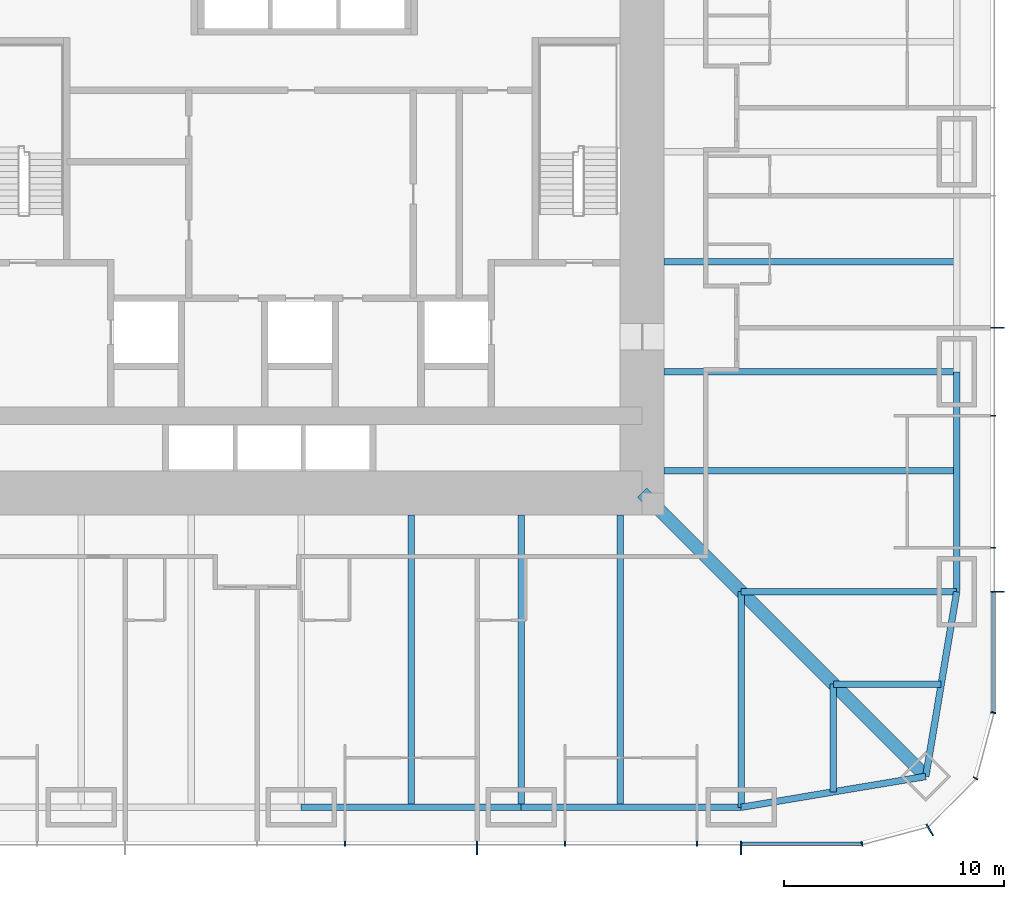
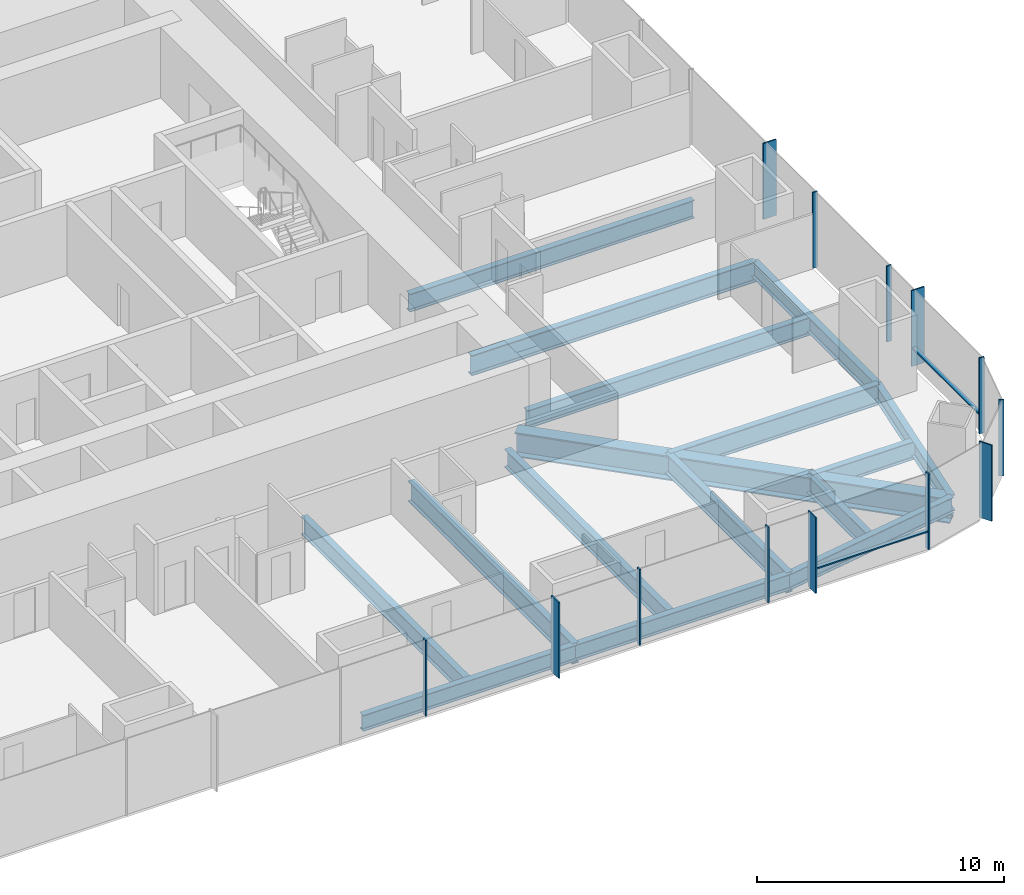
# One storey, part 4 of 17: 16 beams, 15 members, 3 elements without a shape of their own.
"""IFC4 building model written with IfcOpenShell, lengths in metres."""

from ifc_helpers import new_model, si_unit, direction, frame, origin, origin_2d, place, context, subcontext, project, spatial, rectangle, i_section, extrude, material, material_profile, profile_set, type_object, element, aggregate, save


model = new_model("IFC4")

# Units and contexts
model_context = context("Model", 3, precision=1e-05, world=origin(), true_north=direction((0.0, 1.0)))
body_context = subcontext(model_context, "Body", "Model", "MODEL_VIEW")
ifc_project = project(units=[si_unit("LENGTHUNIT", "METRE"), si_unit("AREAUNIT", "SQUARE_METRE"), si_unit("VOLUMEUNIT", "CUBIC_METRE"), si_unit("PLANEANGLEUNIT", "RADIAN"), si_unit("MASSUNIT", "GRAM", prefix="KILO")], contexts=[model_context])

# Site, building, storey
site_placement = place(None, origin())
site = spatial("IfcSite", under=ifc_project, at=site_placement, CompositionType="ELEMENT")
building_placement = place(site_placement, origin())
building = spatial("IfcBuilding", under=site, at=building_placement, Name="Khuree Lantern Residences", CompositionType="ELEMENT")
storey_placement = place(building_placement, frame((0.0, 0.0, 58.5)))
storey = spatial("IfcBuildingStorey", under=building, at=storey_placement, Name="L14", CompositionType="ELEMENT", Elevation=58.5)

# Beams
ifc_material_1 = material(Name="Steel S355", Category="steel")
ifc_material_profile_1 = material_profile(ifc_material_1, i_section(OverallWidth=0.300048828125, OverallDepth=0.889892578125, WebThickness=0.01611328125, FlangeThickness=0.030029296875, FilletRadius=0.030029296875, at=origin_2d()), Name="HE 900 A")
ifc_profile_set_1 = profile_set([ifc_material_profile_1], Name="Steel S355")
beam_type_1 = type_object("IfcBeamType", Name="B-13 SECONDARY BEAM HE 900 A", PredefinedType="BEAM", material=ifc_profile_set_1)
for number, where, z_axis, x_axis, name in (
    (1, (29.800048828125, -5.0, -0.695068359375), (-1.0, 0.0, 0.0), (0.0, -1.0, 0.0), "Secondary beam E4"),
    (2, (29.800048828125, -14.5, -0.695068359375), (-1.0, 0.0, 0.0), (0.0, -1.0, 0.0), "Secondary beam E5"),
):
    element("IfcBeam", number, at=place(storey_placement, frame(where, z_axis=z_axis, x_axis=x_axis)), inside=storey, type_object=beam_type_1, Name=name, PredefinedType="BEAM", context=body_context, shape_type="SweptSolid", body=[
        extrude(i_section(OverallWidth=0.300048828125, OverallDepth=0.889892578125, WebThickness=0.01611328125, FlangeThickness=0.030029296875, FilletRadius=0.030029296875, at=origin_2d()), origin(), (0.0, 0.0, 1.0), 13.300048828125),
    ])
for number, where, z_axis, x_axis, name in (
    (3, (29.09716796875, -24.197021484375, -0.695068359375), (-1.0, 0.0, 0.0), (0.0, -1.0, 0.0), "Secondary beam E6"),
    (4, (24.197021484375, -29.09716796875, -0.695068359375), (0.0, 1.0, 0.0), (-1.0, 0.0, 0.0), "Secondary beam S1"),
):
    element("IfcBeam", number, at=place(storey_placement, frame(where, z_axis=z_axis, x_axis=x_axis)), inside=storey, type_object=beam_type_1, Name=name, PredefinedType="BEAM", context=body_context, shape_type="SweptSolid", body=[
        extrude(i_section(OverallWidth=0.300048828125, OverallDepth=0.889892578125, WebThickness=0.01611328125, FlangeThickness=0.030029296875, FilletRadius=0.030029296875, at=origin_2d()), origin(), (0.0, 0.0, 1.0), 4.900146484375),
    ])
for number, where, z_axis, x_axis, name in (
    (5, (14.5, -29.800048828125, -0.695068359375), (0.0, 1.0, 0.0), (-1.0, 0.0, 0.0), "Secondary beam S2"),
    (6, (5.0, -29.800048828125, -0.695068359375), (0.0, 1.0, 0.0), (-1.0, 0.0, 0.0), "Secondary beam S3"),
):
    element("IfcBeam", number, at=place(storey_placement, frame(where, z_axis=z_axis, x_axis=x_axis)), inside=storey, type_object=beam_type_1, Name=name, PredefinedType="BEAM", context=body_context, shape_type="SweptSolid", body=[
        extrude(i_section(OverallWidth=0.300048828125, OverallDepth=0.889892578125, WebThickness=0.01611328125, FlangeThickness=0.030029296875, FilletRadius=0.030029296875, at=origin_2d()), origin(), (0.0, 0.0, 1.0), 13.300048828125),
    ])
ifc_material_profile_2 = material_profile(ifc_material_1, i_section(OverallWidth=0.300048828125, OverallDepth=0.7900390625, WebThickness=0.014892578125, FlangeThickness=0.028076171875, FilletRadius=0.030029296875, at=origin_2d()), Name="HE 800 A")
ifc_profile_set_2 = profile_set([ifc_material_profile_2], Name="Steel S355")
beam_type_2 = type_object("IfcBeamType", Name="E-13 SPANDREL BEAM HE 800 A", PredefinedType="SPANDREL", material=ifc_profile_set_2)
beam_1_placement = place(storey_placement, frame((29.800048828125, -10.0, -0.64501953125), z_axis=(0.0, -1.0, 0.0), x_axis=(1.0, 0.0, 0.0)))
element("IfcBeam", 7, at=beam_1_placement, inside=storey, type_object=beam_type_2, Name="Spandrel beam E5", PredefinedType="SPANDREL", context=body_context, shape_type="SweptSolid", body=[
    extrude(i_section(OverallWidth=0.300048828125, OverallDepth=0.7900390625, WebThickness=0.014892578125, FlangeThickness=0.028076171875, FilletRadius=0.030029296875, at=origin_2d()), origin(), (0.0, 0.0, 1.0), 10.0),
])
for number, where, z_axis, x_axis, name in (
    (8, (29.800048828125, -20.0, -0.64501953125), (-0.165199022349, -0.986260251158, 0.0), (0.986260251158, -0.165199022349, 0.0), "Spandrel beam E6"),
    (9, (28.39404296875, -28.39404296875, -0.64501953125), (-0.986260251158, -0.165199022349, 0.0), (0.165199022349, -0.986260251158, 0.0), "Spandrel beam S1"),
):
    element("IfcBeam", number, at=place(storey_placement, frame(where, z_axis=z_axis, x_axis=x_axis)), inside=storey, type_object=beam_type_2, Name=name, PredefinedType="SPANDREL", context=body_context, shape_type="SweptSolid", body=[
        extrude(i_section(OverallWidth=0.300048828125, OverallDepth=0.7900390625, WebThickness=0.014892578125, FlangeThickness=0.028076171875, FilletRadius=0.030029296875, at=origin_2d()), origin(), (0.0, 0.0, 1.0), 8.510986328125),
    ])
for number, where, z_axis, x_axis, name in (
    (10, (20.0, -29.800048828125, -0.64501953125), (-1.0, 0.0, 0.0), (0.0, -1.0, 0.0), "Spandrel beam S2"),
    (11, (10.0, -29.800048828125, -0.64501953125), (-1.0, 0.0, 0.0), (0.0, -1.0, 0.0), "Spandrel beam S3"),
):
    element("IfcBeam", number, at=place(storey_placement, frame(where, z_axis=z_axis, x_axis=x_axis)), inside=storey, type_object=beam_type_2, Name=name, PredefinedType="SPANDREL", context=body_context, shape_type="SweptSolid", body=[
        extrude(i_section(OverallWidth=0.300048828125, OverallDepth=0.7900390625, WebThickness=0.014892578125, FlangeThickness=0.028076171875, FilletRadius=0.030029296875, at=origin_2d()), origin(), (0.0, 0.0, 1.0), 10.0),
    ])

# Curtain wall, member
ifc_material_2 = material(Name="Bronze anodised aluminium", Category="aluminium")
curtain_wall_type_1 = type_object("IfcCurtainWallType", Name="CW-T2 TOWER CORNER CURTAIN WALL", PredefinedType="USERDEFINED", material=ifc_material_2)
curtain_wall_1_placement = place(storey_placement, origin())
curtain_wall_1 = element("IfcCurtainWall", 12, at=curtain_wall_1_placement, inside=storey, type_object=curtain_wall_type_1, Name="L14 SOUTH-EAST CORNER CURTAIN WALL", ObjectType="Faceted corner curtain wall", PredefinedType="USERDEFINED")
ifc_material_profile_3 = material_profile(ifc_material_2, rectangle(XDim=0.06494140625, YDim=0.60009765625, at=origin_2d()), Name="F1 65X600")
ifc_profile_set_3 = profile_set([ifc_material_profile_3], Name="Bronze anodised aluminium")
member_type_1 = type_object("IfcMemberType", Name="F1 BRONZE FIN MULLION TOWER 65X600", PredefinedType="MULLION", material=ifc_profile_set_3)
member_1_placement = place(storey_placement, frame((28.574951171875, -30.826171875, 0.0), z_axis=(0.0, 0.0, 1.0), x_axis=(0.86602537092, 0.500000056923, 0.0)))
member_1 = element("IfcMember", 13, at=member_1_placement, type_object=member_type_1, Name="L14 SOUTH-EAST CORNER FIN MULLION 2", PredefinedType="MULLION", context=body_context, shape_type="SweptSolid", body=[
    extrude(rectangle(XDim=0.06494140625, YDim=0.60009765625, at=origin_2d()), origin(), (0.0, 0.0, 1.0), 3.75),
])

# Curtain wall, members
curtain_wall_type_2 = type_object("IfcCurtainWallType", Name="CW-T1 TOWER FACE CURTAIN WALL", PredefinedType="USERDEFINED", material=ifc_material_2)
curtain_wall_2_placement = place(storey_placement, origin())
curtain_wall_2 = element("IfcCurtainWall", 14, at=curtain_wall_2_placement, inside=storey, type_object=curtain_wall_type_2, Name="L14 EAST FACE CURTAIN WALL", ObjectType="Stick-built curtain wall", PredefinedType="USERDEFINED")
member_2_placement = place(storey_placement, frame((31.64990234375, -20.0, 0.0), z_axis=(0.0, 0.0, 1.0), x_axis=(0.0, 1.0, 0.0)))
member_2 = element("IfcMember", 15, at=member_2_placement, type_object=member_type_1, Name="L14 EAST FACE FIN MULLION 5", PredefinedType="MULLION", context=body_context, shape_type="SweptSolid", body=[
    extrude(rectangle(XDim=0.06494140625, YDim=0.60009765625, at=origin_2d()), origin(), (0.0, 0.0, 1.0), 3.75),
])
member_3_placement = place(storey_placement, frame((31.64990234375, -8.0, 0.0), z_axis=(0.0, 0.0, 1.0), x_axis=(0.0, 1.0, 0.0)))
member_3 = element("IfcMember", 16, at=member_3_placement, type_object=member_type_1, Name="L14 EAST FACE FIN MULLION 8", PredefinedType="MULLION", context=body_context, shape_type="SweptSolid", body=[
    extrude(rectangle(XDim=0.06494140625, YDim=0.60009765625, at=origin_2d()), origin(), (0.0, 0.0, 1.0), 3.75),
])

curtain_wall_3_placement = place(storey_placement, origin())
curtain_wall_3 = element("IfcCurtainWall", 17, at=curtain_wall_3_placement, inside=storey, type_object=curtain_wall_type_2, Name="L14 SOUTH FACE CURTAIN WALL", ObjectType="Stick-built curtain wall", PredefinedType="USERDEFINED")
member_4_placement = place(storey_placement, frame((8.0, -31.64990234375, 0.0), z_axis=(0.0, 0.0, 1.0), x_axis=(1.0, 0.0, 0.0)))
member_4 = element("IfcMember", 18, at=member_4_placement, type_object=member_type_1, Name="L14 SOUTH FACE FIN MULLION 53", PredefinedType="MULLION", context=body_context, shape_type="SweptSolid", body=[
    extrude(rectangle(XDim=0.06494140625, YDim=0.60009765625, at=origin_2d()), origin(), (0.0, 0.0, 1.0), 3.75),
])
member_5_placement = place(storey_placement, frame((20.0, -31.64990234375, 0.0), z_axis=(0.0, 0.0, 1.0), x_axis=(1.0, 0.0, 0.0)))
member_5 = element("IfcMember", 19, at=member_5_placement, type_object=member_type_1, Name="L14 SOUTH FACE FIN MULLION 56", PredefinedType="MULLION", context=body_context, shape_type="SweptSolid", body=[
    extrude(rectangle(XDim=0.06494140625, YDim=0.60009765625, at=origin_2d()), origin(), (0.0, 0.0, 1.0), 3.75),
])

# Beams
ifc_material_profile_4 = material_profile(ifc_material_1, i_section(OverallWidth=0.302001953125, OverallDepth=1.008056640625, WebThickness=0.02099609375, FlangeThickness=0.0400390625, FilletRadius=0.030029296875, at=origin_2d()), Name="HE 1000 M")
ifc_profile_set_4 = profile_set([ifc_material_profile_4], Name="Steel S355")
beam_type_3 = type_object("IfcBeamType", Name="G-13 GIRDER HE 1000 M", PredefinedType="BEAM", material=ifc_profile_set_4)
beam_2_placement = place(storey_placement, frame((29.800048828125, -10.0, -0.75390625), z_axis=(-1.0, 0.0, 0.0), x_axis=(0.0, -1.0, 0.0)))
element("IfcBeam", 20, at=beam_2_placement, inside=storey, type_object=beam_type_3, Name="Girder E4", PredefinedType="BEAM", context=body_context, shape_type="SweptSolid", body=[
    extrude(i_section(OverallWidth=0.302001953125, OverallDepth=1.008056640625, WebThickness=0.02099609375, FlangeThickness=0.0400390625, FilletRadius=0.030029296875, at=origin_2d()), origin(), (0.0, 0.0, 1.0), 13.300048828125),
])
for number, where, z_axis, x_axis, name in (
    (21, (29.800048828125, -20.0, -0.75390625), (-1.0, 0.0, 0.0), (0.0, -1.0, 0.0), "Girder E5"),
    (22, (20.0, -29.800048828125, -0.75390625), (0.0, 1.0, 0.0), (-1.0, 0.0, 0.0), "Girder S1"),
):
    element("IfcBeam", number, at=place(storey_placement, frame(where, z_axis=z_axis, x_axis=x_axis)), inside=storey, type_object=beam_type_3, Name=name, PredefinedType="BEAM", context=body_context, shape_type="SweptSolid", body=[
        extrude(i_section(OverallWidth=0.302001953125, OverallDepth=1.008056640625, WebThickness=0.02099609375, FlangeThickness=0.0400390625, FilletRadius=0.030029296875, at=origin_2d()), origin(), (0.0, 0.0, 1.0), 9.800048828125),
    ])
beam_3_placement = place(storey_placement, frame((10.0, -29.800048828125, -0.75390625), z_axis=(0.0, 1.0, 0.0), x_axis=(-1.0, 0.0, 0.0)))
element("IfcBeam", 23, at=beam_3_placement, inside=storey, type_object=beam_type_3, Name="Girder S2", PredefinedType="BEAM", context=body_context, shape_type="SweptSolid", body=[
    extrude(i_section(OverallWidth=0.302001953125, OverallDepth=1.008056640625, WebThickness=0.02099609375, FlangeThickness=0.0400390625, FilletRadius=0.030029296875, at=origin_2d()), origin(), (0.0, 0.0, 1.0), 13.300048828125),
])
ifc_material_profile_5 = material_profile(ifc_material_1, i_section(OverallWidth=0.60009765625, OverallDepth=1.199951171875, WebThickness=0.030029296875, FlangeThickness=0.06005859375, at=origin_2d()), Name="WELDED I 1200X600X30X60")
ifc_profile_set_5 = profile_set([ifc_material_profile_5], Name="Steel S355")
beam_type_4 = type_object("IfcBeamType", Name="GD-13 CORNER GIRDER WELDED I 1200X600X30X60", PredefinedType="BEAM", material=ifc_profile_set_5)
beam_4_placement = place(storey_placement, frame((28.39404296875, -28.39404296875, -0.85009765625), z_axis=(-0.707106781187, 0.707106781187, 0.0), x_axis=(-0.707106781187, -0.707106781187, 0.0)))
element("IfcBeam", 24, at=beam_4_placement, inside=storey, type_object=beam_type_4, Name="Corner girder SE", PredefinedType="BEAM", context=body_context, shape_type="SweptSolid", body=[
    extrude(i_section(OverallWidth=0.60009765625, OverallDepth=1.199951171875, WebThickness=0.030029296875, FlangeThickness=0.06005859375, at=origin_2d()), origin(), (0.0, 0.0, 1.0), 18.23486328125),
])

# Member
ifc_material_profile_6 = material_profile(ifc_material_2, rectangle(XDim=0.06494140625, YDim=0.219970703125, at=origin_2d()), Name="M1 65X220")
ifc_profile_set_6 = profile_set([ifc_material_profile_6], Name="Bronze anodised aluminium")
member_type_2 = type_object("IfcMemberType", Name="M1 BRONZE MULLION TOWER 65X220", PredefinedType="MULLION", material=ifc_profile_set_6)
member_6_placement = place(storey_placement, frame((25.494873046875, -31.461669921875, 0.0), z_axis=(0.0, 0.0, 1.0), x_axis=(0.991444852794, 0.130526257387, 0.0)))
member_6 = element("IfcMember", 25, at=member_6_placement, type_object=member_type_2, Name="L14 SOUTH-EAST CORNER MULLION 1", PredefinedType="MULLION", context=body_context, shape_type="SweptSolid", body=[
    extrude(rectangle(XDim=0.06494140625, YDim=0.219970703125, at=origin_2d()), origin(), (0.0, 0.0, 1.0), 3.75),
])

member_7_placement = place(storey_placement, frame((30.66162109375, -28.47998046875, 0.0), z_axis=(0.0, 0.0, 1.0), x_axis=(0.500000056923, 0.86602537092, 0.0)))
member_7 = element("IfcMember", 26, at=member_7_placement, type_object=member_type_2, Name="L14 SOUTH-EAST CORNER MULLION 3", PredefinedType="MULLION", context=body_context, shape_type="SweptSolid", body=[
    extrude(rectangle(XDim=0.06494140625, YDim=0.219970703125, at=origin_2d()), origin(), (0.0, 0.0, 1.0), 3.75),
])

aggregate(curtain_wall_1, [member_6, member_1, member_7])

member_8_placement = place(storey_placement, frame((31.461669921875, -25.494873046875, 0.0), z_axis=(0.0, 0.0, 1.0), x_axis=(0.130526257387, 0.991444852794, 0.0)))
member_8 = element("IfcMember", 27, at=member_8_placement, type_object=member_type_2, Name="L14 EAST FACE MULLION 4", PredefinedType="MULLION", context=body_context, shape_type="SweptSolid", body=[
    extrude(rectangle(XDim=0.06494140625, YDim=0.219970703125, at=origin_2d()), origin(), (0.0, 0.0, 1.0), 3.75),
])

member_9_placement = place(storey_placement, frame((31.4599609375, -18.0, 0.0), z_axis=(0.0, 0.0, 1.0), x_axis=(0.0, 1.0, 0.0)))
member_9 = element("IfcMember", 28, at=member_9_placement, type_object=member_type_2, Name="L14 EAST FACE MULLION 6", PredefinedType="MULLION", context=body_context, shape_type="SweptSolid", body=[
    extrude(rectangle(XDim=0.06494140625, YDim=0.219970703125, at=origin_2d()), origin(), (0.0, 0.0, 1.0), 3.75),
])

member_10_placement = place(storey_placement, frame((31.4599609375, -12.0, 0.0), z_axis=(0.0, 0.0, 1.0), x_axis=(0.0, 1.0, 0.0)))
member_10 = element("IfcMember", 29, at=member_10_placement, type_object=member_type_2, Name="L14 EAST FACE MULLION 7", PredefinedType="MULLION", context=body_context, shape_type="SweptSolid", body=[
    extrude(rectangle(XDim=0.06494140625, YDim=0.219970703125, at=origin_2d()), origin(), (0.0, 0.0, 1.0), 3.75),
])

member_11_placement = place(storey_placement, frame((2.0, -31.4599609375, 0.0), z_axis=(0.0, 0.0, 1.0), x_axis=(1.0, 0.0, 0.0)))
member_11 = element("IfcMember", 30, at=member_11_placement, type_object=member_type_2, Name="L14 SOUTH FACE MULLION 52", PredefinedType="MULLION", context=body_context, shape_type="SweptSolid", body=[
    extrude(rectangle(XDim=0.06494140625, YDim=0.219970703125, at=origin_2d()), origin(), (0.0, 0.0, 1.0), 3.75),
])

member_12_placement = place(storey_placement, frame((12.0, -31.4599609375, 0.0), z_axis=(0.0, 0.0, 1.0), x_axis=(1.0, 0.0, 0.0)))
member_12 = element("IfcMember", 31, at=member_12_placement, type_object=member_type_2, Name="L14 SOUTH FACE MULLION 54", PredefinedType="MULLION", context=body_context, shape_type="SweptSolid", body=[
    extrude(rectangle(XDim=0.06494140625, YDim=0.219970703125, at=origin_2d()), origin(), (0.0, 0.0, 1.0), 3.75),
])

member_13_placement = place(storey_placement, frame((18.0, -31.4599609375, 0.0), z_axis=(0.0, 0.0, 1.0), x_axis=(1.0, 0.0, 0.0)))
member_13 = element("IfcMember", 32, at=member_13_placement, type_object=member_type_2, Name="L14 SOUTH FACE MULLION 55", PredefinedType="MULLION", context=body_context, shape_type="SweptSolid", body=[
    extrude(rectangle(XDim=0.06494140625, YDim=0.219970703125, at=origin_2d()), origin(), (0.0, 0.0, 1.0), 3.75),
])

ifc_material_profile_7 = material_profile(ifc_material_2, rectangle(XDim=0.179931640625, YDim=0.06494140625, at=origin_2d()), Name="T1 180X65")
ifc_profile_set_7 = profile_set([ifc_material_profile_7], Name="Bronze anodised aluminium")
member_type_3 = type_object("IfcMemberType", Name="TRANSOM T1 TOWER 180X65", PredefinedType="USERDEFINED", material=ifc_profile_set_7)
member_14_placement = place(storey_placement, frame((31.469970703125, -25.451416015625, 0.89990234375), z_axis=(0.0, 1.0, 0.0), x_axis=(-1.0, 0.0, 0.0)))
member_14 = element("IfcMember", 33, at=member_14_placement, type_object=member_type_3, Name="L14 EAST FACE TRANSOM 4.1", ObjectType="Transom", PredefinedType="USERDEFINED", context=body_context, shape_type="SweptSolid", body=[
    extrude(rectangle(XDim=0.179931640625, YDim=0.06494140625, at=origin_2d()), origin(), (0.0, 0.0, 1.0), 5.4189453125),
])

aggregate(curtain_wall_2, [member_8, member_2, member_9, member_10, member_3, member_14])

member_15_placement = place(storey_placement, frame((20.032470703125, -31.469970703125, 0.89990234375), z_axis=(1.0, 0.0, 0.0), x_axis=(0.0, 1.0, 0.0)))
member_15 = element("IfcMember", 34, at=member_15_placement, type_object=member_type_3, Name="L14 SOUTH FACE TRANSOM 56.1", ObjectType="Transom", PredefinedType="USERDEFINED", context=body_context, shape_type="SweptSolid", body=[
    extrude(rectangle(XDim=0.179931640625, YDim=0.06494140625, at=origin_2d()), origin(), (0.0, 0.0, 1.0), 5.4189453125),
])

aggregate(curtain_wall_3, [member_11, member_4, member_12, member_13, member_5, member_15])

save(model, "model.ifc")
